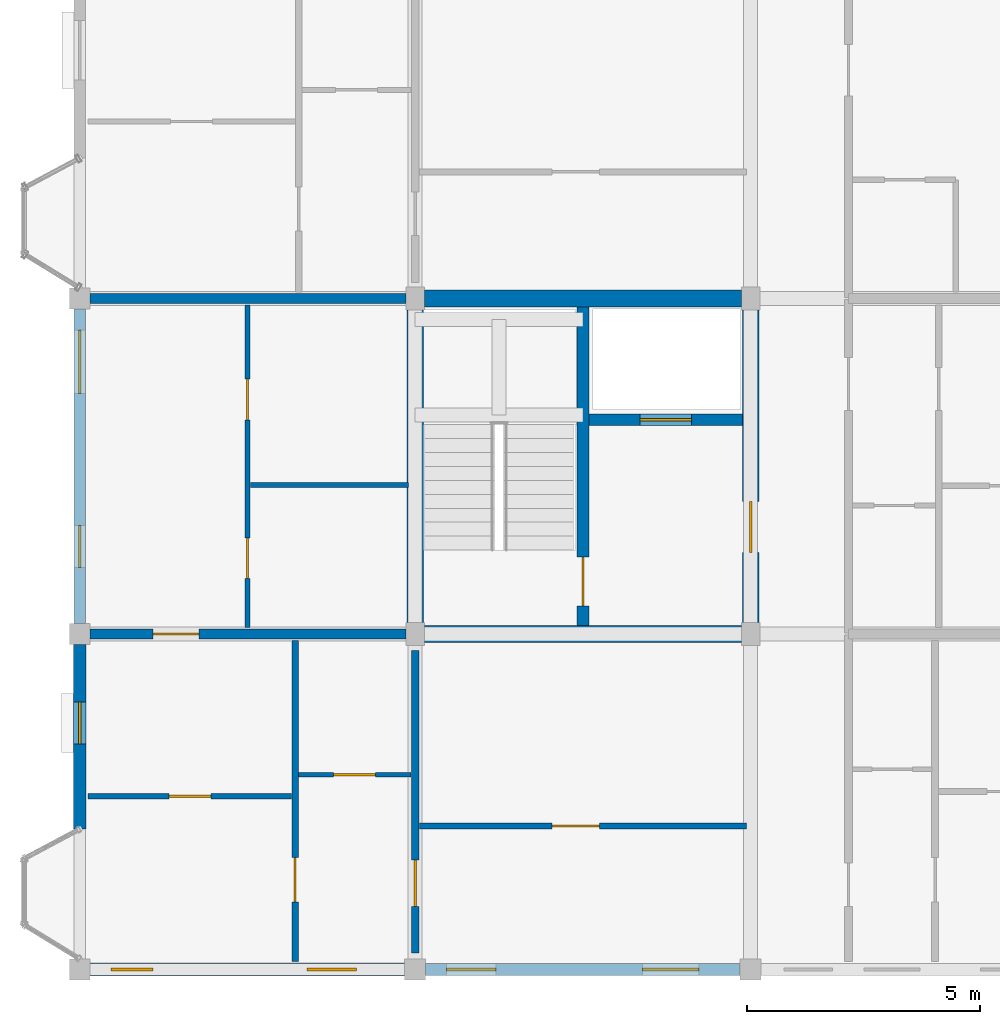
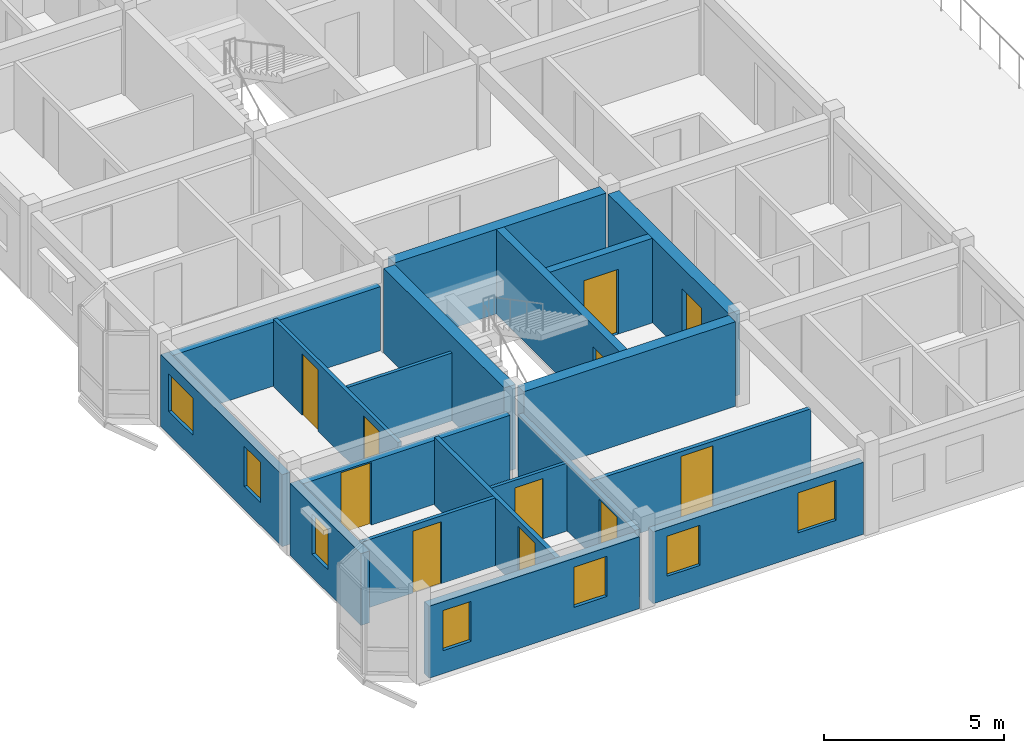
# One storey, part 26 of 40: 19 walls, 11 doors, 7 windows, 18 openings.
"""IFC4 building model written with IfcOpenShell, lengths in metres."""

from ifc_helpers import new_model, si_unit, direction, frame, frame_2d, origin, place, context, subcontext, project, spatial, rectangle, extrude, material, layer, layer_set, type_object, element, fill, save


model = new_model("IFC4")

# Units and contexts
model_context = context("Model", 3, precision=1e-05, world=origin(), true_north=direction((0.0, 1.0)))
body_context = subcontext(model_context, "Body", "Model", "MODEL_VIEW")
ifc_project = project(units=[si_unit("LENGTHUNIT", "METRE"), si_unit("AREAUNIT", "SQUARE_METRE"), si_unit("VOLUMEUNIT", "CUBIC_METRE"), si_unit("PLANEANGLEUNIT", "RADIAN"), si_unit("MASSUNIT", "GRAM", prefix="KILO"), si_unit("THERMODYNAMICTEMPERATUREUNIT", "KELVIN"), si_unit("POWERUNIT", "WATT")], contexts=[model_context])

# Site, building, storey
site_placement = place(None, origin())
site = spatial("IfcSite", under=ifc_project, at=site_placement, CompositionType="ELEMENT")
building_placement = place(site_placement, origin())
building = spatial("IfcBuilding", under=site, at=building_placement, Name="Tavuni Mirador Residences", CompositionType="ELEMENT")
storey_placement = place(building_placement, frame((0.0, 0.0, 36.0)))
storey = spatial("IfcBuildingStorey", under=building, at=storey_placement, Name="L11", CompositionType="ELEMENT", Elevation=36.0)

# Wall, opening, door
ifc_material_1 = material(Name="Precast concrete C40/50", Category="concrete")
ifc_layer_1 = layer(ifc_material_1, 0.25, Name="Precast concrete C40/50", Category="concrete")
ifc_layer_set_1 = layer_set([ifc_layer_1], Name="Precast concrete C40/50")
wall_type_1 = type_object("IfcWallType", Name="WT-COR250", PredefinedType="SHEAR", material=ifc_layer_set_1)
wall_1_placement = place(storey_placement, frame((14.39990234375, 14.580078125, 0.0), z_axis=(0.0, 0.0, 1.0), x_axis=(0.0, 1.0, 0.0)))
wall_1 = element("IfcWall", 1, at=wall_1_placement, inside=storey, type_object=wall_type_1, Name="CWALL-C1-L11-MID", PredefinedType="SHEAR", context=body_context, shape_type="SweptSolid", body=[
    extrude(rectangle(XDim=6.83984375, YDim=0.25, at=frame_2d((3.419921875, 0.0))), origin(), (0.0, 0.0, 1.0), 2.8701171875),
])
opening_1_placement = place(wall_1_placement, frame((0.419921875, 0.0, 0.0)))
opening_1 = element("IfcOpeningElement", 2, at=opening_1_placement, cuts=wall_1, Name="Opening D-01", PredefinedType="OPENING", context=body_context, shape_type="SweptSolid", body=[
    extrude(rectangle(XDim=1.050048828125, YDim=2.14990234375, at=frame_2d((0.52490234375, 1.074951171875))), frame((0.0, 0.135009765625, 0.0), z_axis=(0.0, -1.0, 0.0), x_axis=(1.0, 0.0, 0.0)), (0.0, 0.0, 1.0), 0.27001953125),
])
ifc_material_2 = material(Name="Solid core iroko timber", Category="wood")
door_type_1 = type_object("IfcDoorType", Name="DT-ST1050", OperationType="NOTDEFINED", PredefinedType="DOOR", material=ifc_material_2)
door_1_placement = place(opening_1_placement, origin())
door_1 = element("IfcDoor", 3, at=door_1_placement, inside=storey, type_object=door_type_1, Name="DR-2040", OperationType="SINGLE_SWING_RIGHT", OverallHeight=2.14990234375, OverallWidth=1.050048828125, PredefinedType="DOOR", context=body_context, shape_type="SweptSolid", body=[
    extrude(rectangle(XDim=1.050048828125, YDim=2.14990234375, at=frame_2d((0.52490234375, 1.074951171875))), frame((0.0, 0.02490234375, 0.0), z_axis=(0.0, -1.0, 0.0), x_axis=(1.0, 0.0, 0.0)), (0.0, 0.0, 1.0), 0.050048828125),
])
fill(opening_1, door_1)

wall_2_placement = place(storey_placement, frame((14.52490234375, 19.0, 0.0), z_axis=(0.0, 0.0, 1.0), x_axis=(1.0, 0.0, 0.0)))
wall_2 = element("IfcWall", 4, at=wall_2_placement, inside=storey, type_object=wall_type_1, Name="CWALL-C1-L11-SHF", PredefinedType="SHEAR", context=body_context, shape_type="SweptSolid", body=[
    extrude(rectangle(XDim=3.295166015625, YDim=0.25, at=frame_2d((1.6474609375, 0.0))), origin(), (0.0, 0.0, 1.0), 2.8701171875),
])
opening_2_placement = place(wall_2_placement, frame((1.10009765625, 0.0, 0.0)))
opening_2 = element("IfcOpeningElement", 5, at=opening_2_placement, cuts=wall_2, Name="Opening LD-01", PredefinedType="OPENING", context=body_context, shape_type="SweptSolid", body=[
    extrude(rectangle(XDim=1.10009765625, YDim=2.199951171875, at=frame_2d((0.550048828125, 1.10009765625))), frame((0.0, 0.135009765625, 0.0), z_axis=(0.0, -1.0, 0.0), x_axis=(1.0, 0.0, 0.0)), (0.0, 0.0, 1.0), 0.27001953125),
])
ifc_material_3 = material(Name="Structural steel S355", Category="steel")
door_type_2 = type_object("IfcDoorType", Name="DT-LD-FF", OperationType="SLIDING_TO_LEFT", PredefinedType="DOOR", material=ifc_material_3)
door_2_placement = place(opening_2_placement, origin())
door_2 = element("IfcDoor", 6, at=door_2_placement, inside=storey, type_object=door_type_2, Name="Lift landing door FL-A1 L11", OperationType="SLIDING_TO_LEFT", OverallHeight=2.199951171875, OverallWidth=1.10009765625, PredefinedType="DOOR", context=body_context, shape_type="SweptSolid", body=[
    extrude(rectangle(XDim=1.10009765625, YDim=2.199951171875, at=frame_2d((0.550048828125, 1.10009765625))), frame((0.0, 0.02490234375, 0.0), z_axis=(0.0, -1.0, 0.0), x_axis=(1.0, 0.0, 0.0)), (0.0, 0.0, 1.0), 0.050048828125),
])
fill(opening_2, door_2)

# Walls
ifc_layer_2 = layer(ifc_material_1, 0.360107421875, Name="Precast concrete C40/50", Category="concrete")
ifc_layer_set_2 = layer_set([ifc_layer_2], Name="Precast concrete C40/50")
wall_type_2 = type_object("IfcWallType", Name="WT-COR360", PredefinedType="SHEAR", material=ifc_layer_set_2)
wall_3_placement = place(storey_placement, frame((10.800048828125, 14.64990234375, 0.0), z_axis=(0.0, 0.0, 1.0), x_axis=(0.0, 1.0, 0.0)))
element("IfcWall", 7, at=wall_3_placement, inside=storey, type_object=wall_type_2, Name="CWALL-C1-L11-W", PredefinedType="SHEAR", context=body_context, shape_type="SweptSolid", body=[
    extrude(rectangle(XDim=6.7001953125, YDim=0.360107421875, at=frame_2d((3.35009765625, 0.0))), origin(), (0.0, 0.0, 1.0), 2.8701171875),
])
wall_4_placement = place(storey_placement, frame((11.0, 21.60009765625, 0.0), z_axis=(0.0, 0.0, 1.0), x_axis=(1.0, 0.0, 0.0)))
element("IfcWall", 8, at=wall_4_placement, inside=storey, type_object=wall_type_2, Name="CWALL-C1-L11-N", PredefinedType="SHEAR", context=body_context, shape_type="SweptSolid", body=[
    extrude(rectangle(XDim=6.800048828125, YDim=0.360107421875, at=frame_2d((3.39990234375, 0.0))), origin(), (0.0, 0.0, 1.0), 2.8701171875),
])

# Wall, opening, door
wall_5_placement = place(storey_placement, frame((18.0, 14.64990234375, 0.0), z_axis=(0.0, 0.0, 1.0), x_axis=(0.0, 1.0, 0.0)))
wall_5 = element("IfcWall", 9, at=wall_5_placement, inside=storey, type_object=wall_type_2, Name="CWALL-C1-L11-E", PredefinedType="SHEAR", context=body_context, shape_type="SweptSolid", body=[
    extrude(rectangle(XDim=6.7001953125, YDim=0.360107421875, at=frame_2d((3.35009765625, 0.0))), origin(), (0.0, 0.0, 1.0), 2.8701171875),
])
opening_3_placement = place(wall_5_placement, frame((1.5, 0.0, 0.0)))
opening_3 = element("IfcOpeningElement", 10, at=opening_3_placement, cuts=wall_5, Name="Opening D-02", PredefinedType="OPENING", context=body_context, shape_type="SweptSolid", body=[
    extrude(rectangle(XDim=1.10009765625, YDim=2.14990234375, at=frame_2d((0.550048828125, 1.074951171875))), frame((0.0, 0.18994140625, 0.0), z_axis=(0.0, -1.0, 0.0), x_axis=(1.0, 0.0, 0.0)), (0.0, 0.0, 1.0), 0.380126953125),
])
door_type_3 = type_object("IfcDoorType", Name="DT-LOB1100", OperationType="NOTDEFINED", PredefinedType="DOOR", material=ifc_material_2)
door_3_placement = place(opening_3_placement, frame((1.10009765625, 0.0, 0.0), z_axis=(0.0, 0.0, 1.0), x_axis=(-1.0, 0.0, 0.0)))
door_3 = element("IfcDoor", 11, at=door_3_placement, inside=storey, type_object=door_type_3, Name="DR-2039", OperationType="SINGLE_SWING_RIGHT", OverallHeight=2.14990234375, OverallWidth=1.10009765625, PredefinedType="DOOR", context=body_context, shape_type="SweptSolid", body=[
    extrude(rectangle(XDim=1.10009765625, YDim=2.14990234375, at=frame_2d((0.550048828125, 1.074951171875))), frame((0.0, 0.02490234375, 0.0), z_axis=(0.0, -1.0, 0.0), x_axis=(1.0, 0.0, 0.0)), (0.0, 0.0, 1.0), 0.050048828125),
])
fill(opening_3, door_3)

# Wall
wall_6_placement = place(storey_placement, frame((11.0, 14.39990234375, 0.0), z_axis=(0.0, 0.0, 1.0), x_axis=(1.0, 0.0, 0.0)))
element("IfcWall", 12, at=wall_6_placement, inside=storey, type_object=wall_type_2, Name="CWALL-C1-L11-SS", PredefinedType="SHEAR", context=body_context, shape_type="SweptSolid", body=[
    extrude(rectangle(XDim=6.800048828125, YDim=0.360107421875, at=frame_2d((3.39990234375, 0.0))), origin(), (0.0, 0.0, 1.0), 2.8701171875),
])

# Wall, opening, door
ifc_layer_3 = layer(ifc_material_1, 0.1650390625, Name="Precast concrete C40/50", Category="concrete")
ifc_layer_set_3 = layer_set([ifc_layer_3], Name="Precast concrete C40/50")
wall_type_3 = type_object("IfcWallType", Name="WT-CORR165", PredefinedType="PARTITIONING", material=ifc_layer_set_3)
wall_7_placement = place(storey_placement, frame((10.800048828125, 7.550048828125, 0.0), z_axis=(0.0, 0.0, 1.0), x_axis=(0.0, 1.0, 0.0)))
wall_7 = element("IfcWall", 13, at=wall_7_placement, inside=storey, type_object=wall_type_3, Name="CORW-BLK-A-L11-1-00", PredefinedType="PARTITIONING", context=body_context, shape_type="SweptSolid", body=[
    extrude(rectangle(XDim=6.5, YDim=0.1650390625, at=frame_2d((3.25, 0.0))), origin(), (0.0, 0.0, 1.0), 2.304931640625),
])
opening_4_placement = place(wall_7_placement, frame((1.0, 0.0, 0.0)))
opening_4 = element("IfcOpeningElement", 14, at=opening_4_placement, cuts=wall_7, Name="Opening D-03", PredefinedType="OPENING", context=body_context, shape_type="SweptSolid", body=[
    extrude(rectangle(XDim=1.0, YDim=2.14990234375, at=frame_2d((0.5, 1.074951171875))), frame((0.0, 0.092529296875, 0.0), z_axis=(0.0, -1.0, 0.0), x_axis=(1.0, 0.0, 0.0)), (0.0, 0.0, 1.0), 0.18505859375),
])
door_type_4 = type_object("IfcDoorType", Name="DT-FD60-1000", OperationType="NOTDEFINED", PredefinedType="DOOR", material=ifc_material_2)
door_4_placement = place(opening_4_placement, origin())
door_4 = element("IfcDoor", 15, at=door_4_placement, inside=storey, type_object=door_type_4, Name="DR-2490", OperationType="SINGLE_SWING_LEFT", OverallHeight=2.14990234375, OverallWidth=1.0, PredefinedType="DOOR", context=body_context, shape_type="SweptSolid", body=[
    extrude(rectangle(XDim=1.0, YDim=2.14990234375, at=frame_2d((0.5, 1.074951171875))), frame((0.0, 0.02490234375, 0.0), z_axis=(0.0, -1.0, 0.0), x_axis=(1.0, 0.0, 0.0)), (0.0, 0.0, 1.0), 0.050048828125),
])
fill(opening_4, door_4)

# Wall, openings, windows
ifc_material_4 = material(Name="Sgraffito lime-rendered precast concrete C40/50", Category="concrete")
ifc_layer_4 = layer(ifc_material_4, 0.2548828125, Name="Sgraffito lime-rendered precast concrete C40/50", Category="concrete")
ifc_layer_set_4 = layer_set([ifc_layer_4], Name="Sgraffito lime-rendered precast concrete C40/50")
wall_type_4 = type_object("IfcWallType", Name="WT-EXT-PC255", PredefinedType="SOLIDWALL", material=ifc_layer_set_4)
wall_8_placement = place(storey_placement, frame((11.02490234375, 7.199951171875, 0.0), z_axis=(0.0, 0.0, 1.0), x_axis=(1.0, 0.0, 0.0)))
wall_8 = element("IfcWall", 16, at=wall_8_placement, inside=storey, type_object=wall_type_4, Name="EW-BLK-A-L11-S01", PredefinedType="SOLIDWALL", context=body_context, shape_type="SweptSolid", body=[
    extrude(rectangle(XDim=6.75, YDim=0.2548828125, at=frame_2d((3.375, 0.0))), origin(), (0.0, 0.0, 1.0), 2.43994140625),
])
opening_5_placement = place(wall_8_placement, frame((0.449951171875, 0.0, 0.780029296875)))
opening_5 = element("IfcOpeningElement", 17, at=opening_5_placement, cuts=wall_8, Name="Opening WN-19", PredefinedType="OPENING", context=body_context, shape_type="SweptSolid", body=[
    extrude(rectangle(XDim=1.06005859375, YDim=1.360107421875, at=frame_2d((0.530029296875, 0.68017578125))), frame((0.0, 0.137451171875, 0.0), z_axis=(0.0, -1.0, 0.0), x_axis=(1.0, 0.0, 0.0)), (0.0, 0.0, 1.0), 0.27490234375),
])
opening_6_placement = place(wall_8_placement, frame((4.64990234375, 0.0, 0.780029296875)))
opening_6 = element("IfcOpeningElement", 18, at=opening_6_placement, cuts=wall_8, Name="Opening WN-21", PredefinedType="OPENING", context=body_context, shape_type="SweptSolid", body=[
    extrude(rectangle(XDim=1.219970703125, YDim=1.360107421875, at=frame_2d((0.60986328125, 0.68017578125))), frame((0.0, 0.137451171875, 0.0), z_axis=(0.0, -1.0, 0.0), x_axis=(1.0, 0.0, 0.0)), (0.0, 0.0, 1.0), 0.27490234375),
])
ifc_material_5 = material(Name="Laminated solar-control glass", Category="glass")
window_type_1 = type_object("IfcWindowType", Name="WNT-19", PartitioningType="SINGLE_PANEL", PredefinedType="WINDOW", material=ifc_material_5)
window_1_placement = place(opening_5_placement, origin())
window_1 = element("IfcWindow", 19, at=window_1_placement, inside=storey, type_object=window_type_1, Name="WIN-0397", OverallHeight=1.360107421875, OverallWidth=1.06005859375, PartitioningType="SINGLE_PANEL", PredefinedType="WINDOW", context=body_context, shape_type="SweptSolid", body=[
    extrude(rectangle(XDim=1.06005859375, YDim=1.360107421875, at=frame_2d((0.530029296875, 0.68017578125))), frame((0.0, 0.030029296875, 0.0), z_axis=(0.0, -1.0, 0.0), x_axis=(1.0, 0.0, 0.0)), (0.0, 0.0, 1.0), 0.06005859375),
])
fill(opening_5, window_1)
window_type_2 = type_object("IfcWindowType", Name="WNT-21", PartitioningType="SINGLE_PANEL", PredefinedType="WINDOW", material=ifc_material_5)
window_2_placement = place(opening_6_placement, origin())
window_2 = element("IfcWindow", 20, at=window_2_placement, inside=storey, type_object=window_type_2, Name="WIN-0398", OverallHeight=1.360107421875, OverallWidth=1.219970703125, PartitioningType="SINGLE_PANEL", PredefinedType="WINDOW", context=body_context, shape_type="SweptSolid", body=[
    extrude(rectangle(XDim=1.219970703125, YDim=1.360107421875, at=frame_2d((0.60986328125, 0.68017578125))), frame((0.0, 0.030029296875, 0.0), z_axis=(0.0, -1.0, 0.0), x_axis=(1.0, 0.0, 0.0)), (0.0, 0.0, 1.0), 0.06005859375),
])
fill(opening_6, window_2)

wall_9_placement = place(storey_placement, frame((3.60009765625, 21.375, 0.0), z_axis=(0.0, 0.0, 1.0), x_axis=(0.0, -1.0, 0.0)))
wall_9 = element("IfcWall", 21, at=wall_9_placement, inside=storey, type_object=wall_type_4, Name="EW-BLK-A-L11-W01", PredefinedType="SOLIDWALL", context=body_context, shape_type="SweptSolid", body=[
    extrude(rectangle(XDim=6.75, YDim=0.2548828125, at=frame_2d((3.375, 0.0))), origin(), (0.0, 0.0, 1.0), 2.43994140625),
])
opening_7_placement = place(wall_9_placement, frame((0.449951171875, 0.0, 0.780029296875)))
opening_7 = element("IfcOpeningElement", 22, at=opening_7_placement, cuts=wall_9, Name="Opening WN-15", PredefinedType="OPENING", context=body_context, shape_type="SweptSolid", body=[
    extrude(rectangle(XDim=1.360107421875, YDim=1.260009765625, at=frame_2d((0.68017578125, 0.6298828125))), frame((0.0, 0.137451171875, 0.0), z_axis=(0.0, -1.0, 0.0), x_axis=(1.0, 0.0, 0.0)), (0.0, 0.0, 1.0), 0.27490234375),
])
opening_8_placement = place(wall_9_placement, frame((4.64990234375, 0.0, 0.780029296875)))
opening_8 = element("IfcOpeningElement", 23, at=opening_8_placement, cuts=wall_9, Name="Opening WN-17", PredefinedType="OPENING", context=body_context, shape_type="SweptSolid", body=[
    extrude(rectangle(XDim=0.89990234375, YDim=1.360107421875, at=frame_2d((0.449951171875, 0.68017578125))), frame((0.0, 0.137451171875, 0.0), z_axis=(0.0, -1.0, 0.0), x_axis=(1.0, 0.0, 0.0)), (0.0, 0.0, 1.0), 0.27490234375),
])
window_type_3 = type_object("IfcWindowType", Name="WNT-15", PartitioningType="SINGLE_PANEL", PredefinedType="WINDOW", material=ifc_material_5)
window_3_placement = place(opening_7_placement, origin())
window_3 = element("IfcWindow", 24, at=window_3_placement, inside=storey, type_object=window_type_3, Name="WIN-0423", OverallHeight=1.260009765625, OverallWidth=1.360107421875, PartitioningType="SINGLE_PANEL", PredefinedType="WINDOW", context=body_context, shape_type="SweptSolid", body=[
    extrude(rectangle(XDim=1.360107421875, YDim=1.260009765625, at=frame_2d((0.68017578125, 0.6298828125))), frame((0.0, 0.030029296875, 0.0), z_axis=(0.0, -1.0, 0.0), x_axis=(1.0, 0.0, 0.0)), (0.0, 0.0, 1.0), 0.06005859375),
])
fill(opening_7, window_3)
window_type_4 = type_object("IfcWindowType", Name="WNT-17", PartitioningType="SINGLE_PANEL", PredefinedType="WINDOW", material=ifc_material_5)
window_4_placement = place(opening_8_placement, origin())
window_4 = element("IfcWindow", 25, at=window_4_placement, inside=storey, type_object=window_type_4, Name="WIN-0424", OverallHeight=1.360107421875, OverallWidth=0.89990234375, PartitioningType="SINGLE_PANEL", PredefinedType="WINDOW", context=body_context, shape_type="SweptSolid", body=[
    extrude(rectangle(XDim=0.89990234375, YDim=1.360107421875, at=frame_2d((0.449951171875, 0.68017578125))), frame((0.0, 0.030029296875, 0.0), z_axis=(0.0, -1.0, 0.0), x_axis=(1.0, 0.0, 0.0)), (0.0, 0.0, 1.0), 0.06005859375),
])
fill(opening_8, window_4)

ifc_layer_5 = layer(ifc_material_4, 0.27490234375, Name="Sgraffito lime-rendered precast concrete C40/50", Category="concrete")
ifc_layer_set_5 = layer_set([ifc_layer_5], Name="Sgraffito lime-rendered precast concrete C40/50")
wall_type_5 = type_object("IfcWallType", Name="WT-EXT-PC275", PredefinedType="SOLIDWALL", material=ifc_layer_set_5)
wall_10_placement = place(storey_placement, frame((3.824951171875, 7.199951171875, 0.0), z_axis=(0.0, 0.0, 1.0), x_axis=(1.0, 0.0, 0.0)))
wall_10 = element("IfcWall", 26, at=wall_10_placement, inside=storey, type_object=wall_type_5, Name="EW-BLK-A-L11-S00", PredefinedType="SOLIDWALL", context=body_context, shape_type="SweptSolid", body=[
    extrude(rectangle(XDim=6.75, YDim=0.27490234375, at=frame_2d((3.375, 0.0))), origin(), (0.0, 0.0, 1.0), 2.43994140625),
])
opening_9_placement = place(wall_10_placement, frame((0.449951171875, 0.0, 0.780029296875)))
opening_9 = element("IfcOpeningElement", 27, at=opening_9_placement, cuts=wall_10, Name="Opening WN-17", PredefinedType="OPENING", context=body_context, shape_type="SweptSolid", body=[
    extrude(rectangle(XDim=0.89990234375, YDim=1.360107421875, at=frame_2d((0.449951171875, 0.68017578125))), frame((0.0, 0.1474609375, 0.0), z_axis=(0.0, -1.0, 0.0), x_axis=(1.0, 0.0, 0.0)), (0.0, 0.0, 1.0), 0.294921875),
])
opening_10_placement = place(wall_10_placement, frame((4.64990234375, 0.0, 0.780029296875)))
opening_10 = element("IfcOpeningElement", 28, at=opening_10_placement, cuts=wall_10, Name="Opening WN-19", PredefinedType="OPENING", context=body_context, shape_type="SweptSolid", body=[
    extrude(rectangle(XDim=1.06005859375, YDim=1.360107421875, at=frame_2d((0.530029296875, 0.68017578125))), frame((0.0, 0.1474609375, 0.0), z_axis=(0.0, -1.0, 0.0), x_axis=(1.0, 0.0, 0.0)), (0.0, 0.0, 1.0), 0.294921875),
])
window_5_placement = place(opening_9_placement, origin())
window_5 = element("IfcWindow", 29, at=window_5_placement, inside=storey, type_object=window_type_4, Name="WIN-0395", OverallHeight=1.360107421875, OverallWidth=0.89990234375, PartitioningType="SINGLE_PANEL", PredefinedType="WINDOW", context=body_context, shape_type="SweptSolid", body=[
    extrude(rectangle(XDim=0.89990234375, YDim=1.360107421875, at=frame_2d((0.449951171875, 0.68017578125))), frame((0.0, 0.030029296875, 0.0), z_axis=(0.0, -1.0, 0.0), x_axis=(1.0, 0.0, 0.0)), (0.0, 0.0, 1.0), 0.06005859375),
])
fill(opening_9, window_5)
window_6_placement = place(opening_10_placement, origin())
window_6 = element("IfcWindow", 30, at=window_6_placement, inside=storey, type_object=window_type_1, Name="WIN-0396", OverallHeight=1.360107421875, OverallWidth=1.06005859375, PartitioningType="SINGLE_PANEL", PredefinedType="WINDOW", context=body_context, shape_type="SweptSolid", body=[
    extrude(rectangle(XDim=1.06005859375, YDim=1.360107421875, at=frame_2d((0.530029296875, 0.68017578125))), frame((0.0, 0.030029296875, 0.0), z_axis=(0.0, -1.0, 0.0), x_axis=(1.0, 0.0, 0.0)), (0.0, 0.0, 1.0), 0.06005859375),
])
fill(opening_10, window_6)

# Wall, opening, window
wall_11_placement = place(storey_placement, frame((3.60009765625, 14.175048828125, 0.0), z_axis=(0.0, 0.0, 1.0), x_axis=(0.0, -1.0, 0.0)))
wall_11 = element("IfcWall", 31, at=wall_11_placement, inside=storey, type_object=wall_type_5, Name="EW-BLK-A-L11-W00", PredefinedType="SOLIDWALL", context=body_context, shape_type="SweptSolid", body=[
    extrude(rectangle(XDim=3.955078125, YDim=0.27490234375, at=frame_2d((1.9775390625, 0.0))), origin(), (0.0, 0.0, 1.0), 2.43994140625),
])
opening_11_placement = place(wall_11_placement, frame((1.232421875, 0.0, 0.780029296875)))
opening_11 = element("IfcOpeningElement", 32, at=opening_11_placement, cuts=wall_11, Name="Opening WN-17", PredefinedType="OPENING", context=body_context, shape_type="SweptSolid", body=[
    extrude(rectangle(XDim=0.89990234375, YDim=1.360107421875, at=frame_2d((0.449951171875, 0.68017578125))), frame((0.0, 0.1474609375, 0.0), z_axis=(0.0, -1.0, 0.0), x_axis=(1.0, 0.0, 0.0)), (0.0, 0.0, 1.0), 0.294921875),
])
window_7_placement = place(opening_11_placement, origin())
window_7 = element("IfcWindow", 33, at=window_7_placement, inside=storey, type_object=window_type_4, Name="WIN-0425", OverallHeight=1.360107421875, OverallWidth=0.89990234375, PartitioningType="SINGLE_PANEL", PredefinedType="WINDOW", context=body_context, shape_type="SweptSolid", body=[
    extrude(rectangle(XDim=0.89990234375, YDim=1.360107421875, at=frame_2d((0.449951171875, 0.68017578125))), frame((0.0, 0.030029296875, 0.0), z_axis=(0.0, -1.0, 0.0), x_axis=(1.0, 0.0, 0.0)), (0.0, 0.0, 1.0), 0.06005859375),
])
fill(opening_11, window_7)

# Wall, opening, door
ifc_material_6 = material(Name="Acoustic gypsum and concrete block partition", Category="concrete")
ifc_layer_6 = layer(ifc_material_6, 0.10498046875, Name="Acoustic gypsum and concrete block partition", Category="concrete")
ifc_layer_set_6 = layer_set([ifc_layer_6], Name="Acoustic gypsum and concrete block partition")
wall_type_6 = type_object("IfcWallType", Name="WT-PART105", PredefinedType="PARTITIONING", material=ifc_layer_set_6)
wall_12_placement = place(storey_placement, frame((8.2900390625, 11.3798828125, 0.0), z_axis=(0.0, 0.0, 1.0), x_axis=(1.0, 0.0, 0.0)))
wall_12 = element("IfcWall", 34, at=wall_12_placement, inside=storey, type_object=wall_type_6, Name="PW-BLK-A-L11-W00-IN1", PredefinedType="PARTITIONING", context=body_context, shape_type="SweptSolid", body=[
    extrude(rectangle(XDim=2.419921875, YDim=0.10498046875, at=frame_2d((1.2099609375, 0.0))), origin(), (0.0, 0.0, 1.0), 2.304931640625),
])
opening_12_placement = place(wall_12_placement, frame((0.760009765625, 0.0, 0.0)))
opening_12 = element("IfcOpeningElement", 35, at=opening_12_placement, cuts=wall_12, Name="Opening D-09", PredefinedType="OPENING", context=body_context, shape_type="SweptSolid", body=[
    extrude(rectangle(XDim=0.89990234375, YDim=2.050048828125, at=frame_2d((0.449951171875, 1.02490234375))), frame((0.0, 0.0625, 0.0), z_axis=(0.0, -1.0, 0.0), x_axis=(1.0, 0.0, 0.0)), (0.0, 0.0, 1.0), 0.125),
])
door_type_5 = type_object("IfcDoorType", Name="DT-WC900", OperationType="NOTDEFINED", PredefinedType="DOOR", material=ifc_material_2)
door_5_placement = place(opening_12_placement, origin())
door_5 = element("IfcDoor", 36, at=door_5_placement, inside=storey, type_object=door_type_5, Name="DR-3289", OperationType="SINGLE_SWING_RIGHT", OverallHeight=2.050048828125, OverallWidth=0.89990234375, PredefinedType="DOOR", context=body_context, shape_type="SweptSolid", body=[
    extrude(rectangle(XDim=0.89990234375, YDim=2.050048828125, at=frame_2d((0.449951171875, 1.02490234375))), frame((0.0, 0.02490234375, 0.0), z_axis=(0.0, -1.0, 0.0), x_axis=(1.0, 0.0, 0.0)), (0.0, 0.0, 1.0), 0.050048828125),
])
fill(opening_12, door_5)

# Wall
wall_13_placement = place(storey_placement, frame((7.27001953125, 17.60009765625, 0.0), z_axis=(0.0, 0.0, 1.0), x_axis=(1.0, 0.0, 0.0)))
element("IfcWall", 37, at=wall_13_placement, inside=storey, type_object=wall_type_6, Name="PW-BLK-A-L11-WC01-H", PredefinedType="PARTITIONING", context=body_context, shape_type="SweptSolid", body=[
    extrude(rectangle(XDim=3.389892578125, YDim=0.10498046875, at=frame_2d((1.69482421875, 0.0))), origin(), (0.0, 0.0, 1.0), 2.304931640625),
])

# Wall, opening, door
ifc_layer_7 = layer(ifc_material_6, 0.114990234375, Name="Acoustic gypsum and concrete block partition", Category="concrete")
ifc_layer_set_7 = layer_set([ifc_layer_7], Name="Acoustic gypsum and concrete block partition")
wall_type_7 = type_object("IfcWallType", Name="WT-PART115", PredefinedType="PARTITIONING", material=ifc_layer_set_7)
wall_14_placement = place(storey_placement, frame((3.77490234375, 10.919921875, 0.0), z_axis=(0.0, 0.0, 1.0), x_axis=(1.0, 0.0, 0.0)))
wall_14 = element("IfcWall", 38, at=wall_14_placement, inside=storey, type_object=wall_type_7, Name="PW-BLK-A-L11-W00-OUT", PredefinedType="PARTITIONING", context=body_context, shape_type="SweptSolid", body=[
    extrude(rectangle(XDim=4.375, YDim=0.114990234375, at=frame_2d((2.1875, 0.0))), origin(), (0.0, 0.0, 1.0), 2.304931640625),
])
opening_13_placement = place(wall_14_placement, frame((1.737548828125, 0.0, 0.0)))
opening_13 = element("IfcOpeningElement", 39, at=opening_13_placement, cuts=wall_14, Name="Opening D-07", PredefinedType="OPENING", context=body_context, shape_type="SweptSolid", body=[
    extrude(rectangle(XDim=0.89990234375, YDim=2.10009765625, at=frame_2d((0.449951171875, 1.050048828125))), frame((0.0, 0.0673828125, 0.0), z_axis=(0.0, -1.0, 0.0), x_axis=(1.0, 0.0, 0.0)), (0.0, 0.0, 1.0), 0.135009765625),
])
door_type_6 = type_object("IfcDoorType", Name="DT-BED900", OperationType="NOTDEFINED", PredefinedType="DOOR", material=ifc_material_2)
door_6_placement = place(opening_13_placement, origin())
door_6 = element("IfcDoor", 40, at=door_6_placement, inside=storey, type_object=door_type_6, Name="DR-3288", OperationType="SINGLE_SWING_LEFT", OverallHeight=2.10009765625, OverallWidth=0.89990234375, PredefinedType="DOOR", context=body_context, shape_type="SweptSolid", body=[
    extrude(rectangle(XDim=0.89990234375, YDim=2.10009765625, at=frame_2d((0.449951171875, 1.050048828125))), frame((0.0, 0.02490234375, 0.0), z_axis=(0.0, -1.0, 0.0), x_axis=(1.0, 0.0, 0.0)), (0.0, 0.0, 1.0), 0.050048828125),
])
fill(opening_13, door_6)

# Wall, openings, doors
wall_15_placement = place(storey_placement, frame((7.199951171875, 14.5400390625, 0.0), z_axis=(0.0, 0.0, 1.0), x_axis=(0.0, 1.0, 0.0)))
wall_15 = element("IfcWall", 41, at=wall_15_placement, inside=storey, type_object=wall_type_7, Name="PW-BLK-A-L11-WC01-M", PredefinedType="PARTITIONING", context=body_context, shape_type="SweptSolid", body=[
    extrude(rectangle(XDim=6.919921875, YDim=0.114990234375, at=frame_2d((3.4599609375, 0.0))), origin(), (0.0, 0.0, 1.0), 2.304931640625),
])
opening_14_placement = place(wall_15_placement, frame((1.050048828125, 0.0, 0.0)))
opening_14 = element("IfcOpeningElement", 42, at=opening_14_placement, cuts=wall_15, Name="Opening D-10", PredefinedType="OPENING", context=body_context, shape_type="SweptSolid", body=[
    extrude(rectangle(XDim=0.8701171875, YDim=2.050048828125, at=frame_2d((0.43505859375, 1.02490234375))), frame((0.0, 0.0673828125, 0.0), z_axis=(0.0, -1.0, 0.0), x_axis=(1.0, 0.0, 0.0)), (0.0, 0.0, 1.0), 0.135009765625),
])
opening_15_placement = place(wall_15_placement, frame((4.449951171875, 0.0, 0.0)))
opening_15 = element("IfcOpeningElement", 43, at=opening_15_placement, cuts=wall_15, Name="Opening D-08", PredefinedType="OPENING", context=body_context, shape_type="SweptSolid", body=[
    extrude(rectangle(XDim=0.8798828125, YDim=2.080078125, at=frame_2d((0.43994140625, 1.0400390625))), frame((0.0, 0.0673828125, 0.0), z_axis=(0.0, -1.0, 0.0), x_axis=(1.0, 0.0, 0.0)), (0.0, 0.0, 1.0), 0.135009765625),
])
door_type_7 = type_object("IfcDoorType", Name="DT-BED880", OperationType="NOTDEFINED", PredefinedType="DOOR", material=ifc_material_2)
door_7_placement = place(opening_15_placement, origin())
door_7 = element("IfcDoor", 44, at=door_7_placement, inside=storey, type_object=door_type_7, Name="DR-3295", OperationType="SINGLE_SWING_LEFT", OverallHeight=2.080078125, OverallWidth=0.8798828125, PredefinedType="DOOR", context=body_context, shape_type="SweptSolid", body=[
    extrude(rectangle(XDim=0.8798828125, YDim=2.080078125, at=frame_2d((0.43994140625, 1.0400390625))), frame((0.0, 0.02490234375, 0.0), z_axis=(0.0, -1.0, 0.0), x_axis=(1.0, 0.0, 0.0)), (0.0, 0.0, 1.0), 0.050048828125),
])
fill(opening_15, door_7)
door_type_8 = type_object("IfcDoorType", Name="DT-WC870", OperationType="NOTDEFINED", PredefinedType="DOOR", material=ifc_material_2)
door_8_placement = place(opening_14_placement, origin())
door_8 = element("IfcDoor", 45, at=door_8_placement, inside=storey, type_object=door_type_8, Name="DR-3294", OperationType="SINGLE_SWING_RIGHT", OverallHeight=2.050048828125, OverallWidth=0.8701171875, PredefinedType="DOOR", context=body_context, shape_type="SweptSolid", body=[
    extrude(rectangle(XDim=0.8701171875, YDim=2.050048828125, at=frame_2d((0.43505859375, 1.02490234375))), frame((0.0, 0.02490234375, 0.0), z_axis=(0.0, -1.0, 0.0), x_axis=(1.0, 0.0, 0.0)), (0.0, 0.0, 1.0), 0.050048828125),
])
fill(opening_14, door_8)

# Wall, opening, door
ifc_layer_8 = layer(ifc_material_6, 0.125, Name="Acoustic gypsum and concrete block partition", Category="concrete")
ifc_layer_set_8 = layer_set([ifc_layer_8], Name="Acoustic gypsum and concrete block partition")
wall_type_8 = type_object("IfcWallType", Name="WT-PART125", PredefinedType="PARTITIONING", material=ifc_layer_set_8)
wall_16_placement = place(storey_placement, frame((10.889892578125, 10.280029296875, 0.0), z_axis=(0.0, 0.0, 1.0), x_axis=(1.0, 0.0, 0.0)))
wall_16 = element("IfcWall", 46, at=wall_16_placement, inside=storey, type_object=wall_type_8, Name="PW-SPN-BLK-A-L11-00", PredefinedType="PARTITIONING", context=body_context, shape_type="SweptSolid", body=[
    extrude(rectangle(XDim=7.02001953125, YDim=0.125, at=frame_2d((3.510009765625, 0.0))), origin(), (0.0, 0.0, 1.0), 2.304931640625),
])
opening_16_placement = place(wall_16_placement, frame((2.85009765625, 0.0, 0.0)))
opening_16 = element("IfcOpeningElement", 47, at=opening_16_placement, cuts=wall_16, Name="Opening D-13", PredefinedType="OPENING", context=body_context, shape_type="SweptSolid", body=[
    extrude(rectangle(XDim=1.02001953125, YDim=2.14990234375, at=frame_2d((0.510009765625, 1.074951171875))), frame((0.0, 0.072509765625, 0.0), z_axis=(0.0, -1.0, 0.0), x_axis=(1.0, 0.0, 0.0)), (0.0, 0.0, 1.0), 0.14501953125),
])
door_type_9 = type_object("IfcDoorType", Name="DT-MTG1020", OperationType="NOTDEFINED", PredefinedType="DOOR", material=ifc_material_2)
door_9_placement = place(opening_16_placement, origin())
door_9 = element("IfcDoor", 48, at=door_9_placement, inside=storey, type_object=door_type_9, Name="DR-3287", OperationType="SINGLE_SWING_LEFT", OverallHeight=2.14990234375, OverallWidth=1.02001953125, PredefinedType="DOOR", context=body_context, shape_type="SweptSolid", body=[
    extrude(rectangle(XDim=1.02001953125, YDim=2.14990234375, at=frame_2d((0.510009765625, 1.074951171875))), frame((0.0, 0.02490234375, 0.0), z_axis=(0.0, -1.0, 0.0), x_axis=(1.0, 0.0, 0.0)), (0.0, 0.0, 1.0), 0.050048828125),
])
fill(opening_16, door_9)

ifc_layer_9 = layer(ifc_material_6, 0.139892578125, Name="Acoustic gypsum and concrete block partition", Category="concrete")
ifc_layer_set_9 = layer_set([ifc_layer_9], Name="Acoustic gypsum and concrete block partition")
wall_type_9 = type_object("IfcWallType", Name="WT-PART140", PredefinedType="PARTITIONING", material=ifc_layer_set_9)
wall_17_placement = place(storey_placement, frame((8.219970703125, 7.375, 0.0), z_axis=(0.0, 0.0, 1.0), x_axis=(0.0, 1.0, 0.0)))
wall_17 = element("IfcWall", 49, at=wall_17_placement, inside=storey, type_object=wall_type_9, Name="PW-BLK-A-L11-W00-MID", PredefinedType="PARTITIONING", context=body_context, shape_type="SweptSolid", body=[
    extrude(rectangle(XDim=6.885009765625, YDim=0.139892578125, at=frame_2d((3.4423828125, 0.0))), origin(), (0.0, 0.0, 1.0), 2.304931640625),
])
opening_17_placement = place(wall_17_placement, frame((1.27490234375, 0.0, 0.0)))
opening_17 = element("IfcOpeningElement", 50, at=opening_17_placement, cuts=wall_17, Name="Opening D-05", PredefinedType="OPENING", context=body_context, shape_type="SweptSolid", body=[
    extrude(rectangle(XDim=0.949951171875, YDim=2.10009765625, at=frame_2d((0.47509765625, 1.050048828125))), frame((0.0, 0.080078125, 0.0), z_axis=(0.0, -1.0, 0.0), x_axis=(1.0, 0.0, 0.0)), (0.0, 0.0, 1.0), 0.159912109375),
])
door_type_10 = type_object("IfcDoorType", Name="DT-INT950", OperationType="NOTDEFINED", PredefinedType="DOOR", material=ifc_material_2)
door_10_placement = place(opening_17_placement, origin())
door_10 = element("IfcDoor", 51, at=door_10_placement, inside=storey, type_object=door_type_10, Name="DR-3290", OperationType="SINGLE_SWING_LEFT", OverallHeight=2.10009765625, OverallWidth=0.949951171875, PredefinedType="DOOR", context=body_context, shape_type="SweptSolid", body=[
    extrude(rectangle(XDim=0.949951171875, YDim=2.10009765625, at=frame_2d((0.47509765625, 1.050048828125))), frame((0.0, 0.02490234375, 0.0), z_axis=(0.0, -1.0, 0.0), x_axis=(1.0, 0.0, 0.0)), (0.0, 0.0, 1.0), 0.050048828125),
])
fill(opening_17, door_10)

ifc_layer_10 = layer(ifc_material_1, 0.215087890625, Name="Precast concrete C40/50", Category="concrete")
ifc_layer_set_10 = layer_set([ifc_layer_10], Name="Precast concrete C40/50")
wall_type_10 = type_object("IfcWallType", Name="WT-XW215", PredefinedType="SOLIDWALL", material=ifc_layer_set_10)
wall_18_placement = place(storey_placement, frame((3.824951171875, 14.39990234375, 0.0), z_axis=(0.0, 0.0, 1.0), x_axis=(1.0, 0.0, 0.0)))
wall_18 = element("IfcWall", 52, at=wall_18_placement, inside=storey, type_object=wall_type_10, Name="XW-BLK-A-L11-W-01", PredefinedType="SOLIDWALL", context=body_context, shape_type="SweptSolid", body=[
    extrude(rectangle(XDim=6.775146484375, YDim=0.215087890625, at=frame_2d((3.3876953125, 0.0))), origin(), (0.0, 0.0, 1.0), 2.169921875),
])
opening_18_placement = place(wall_18_placement, frame((1.35009765625, 0.0, 0.0)))
opening_18 = element("IfcOpeningElement", 53, at=opening_18_placement, cuts=wall_18, Name="Opening D-04", PredefinedType="OPENING", context=body_context, shape_type="SweptSolid", body=[
    extrude(rectangle(XDim=0.97998046875, YDim=2.1201171875, at=frame_2d((0.489990234375, 1.06005859375))), frame((0.0, 0.11767578125, 0.0), z_axis=(0.0, -1.0, 0.0), x_axis=(1.0, 0.0, 0.0)), (0.0, 0.0, 1.0), 0.235107421875),
])
door_type_11 = type_object("IfcDoorType", Name="DT-FD60-980", OperationType="NOTDEFINED", PredefinedType="DOOR", material=ifc_material_2)
door_11_placement = place(opening_18_placement, origin())
door_11 = element("IfcDoor", 54, at=door_11_placement, inside=storey, type_object=door_type_11, Name="DR-4696", OperationType="SINGLE_SWING_LEFT", OverallHeight=2.1201171875, OverallWidth=0.97998046875, PredefinedType="DOOR", context=body_context, shape_type="SweptSolid", body=[
    extrude(rectangle(XDim=0.97998046875, YDim=2.1201171875, at=frame_2d((0.489990234375, 1.06005859375))), frame((0.0, 0.02490234375, 0.0), z_axis=(0.0, -1.0, 0.0), x_axis=(1.0, 0.0, 0.0)), (0.0, 0.0, 1.0), 0.050048828125),
])
fill(opening_18, door_11)

# Wall
wall_19_placement = place(storey_placement, frame((3.824951171875, 21.60009765625, 0.0), z_axis=(0.0, 0.0, 1.0), x_axis=(1.0, 0.0, 0.0)))
element("IfcWall", 55, at=wall_19_placement, inside=storey, type_object=wall_type_10, Name="XW-BLK-A-L11-W-02", PredefinedType="SOLIDWALL", context=body_context, shape_type="SweptSolid", body=[
    extrude(rectangle(XDim=6.775146484375, YDim=0.215087890625, at=frame_2d((3.3876953125, 0.0))), origin(), (0.0, 0.0, 1.0), 2.169921875),
])

save(model, "model.ifc")
